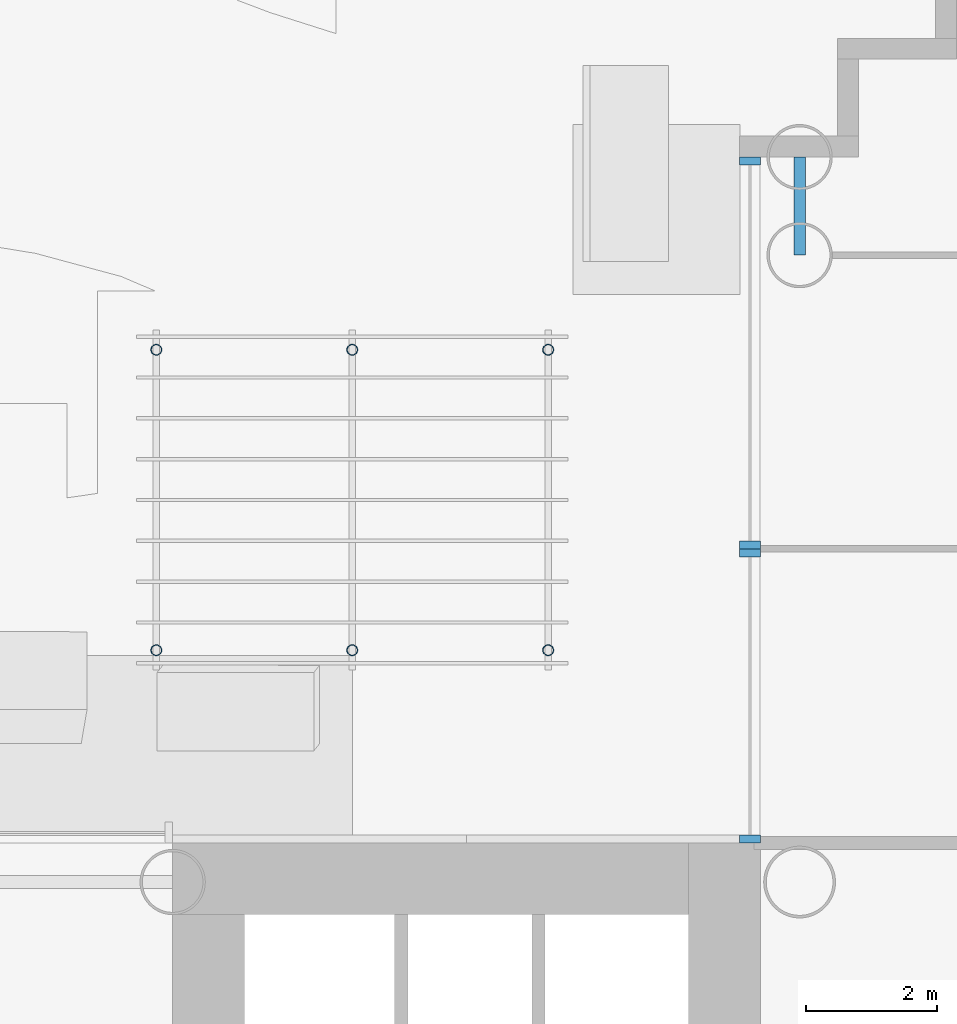
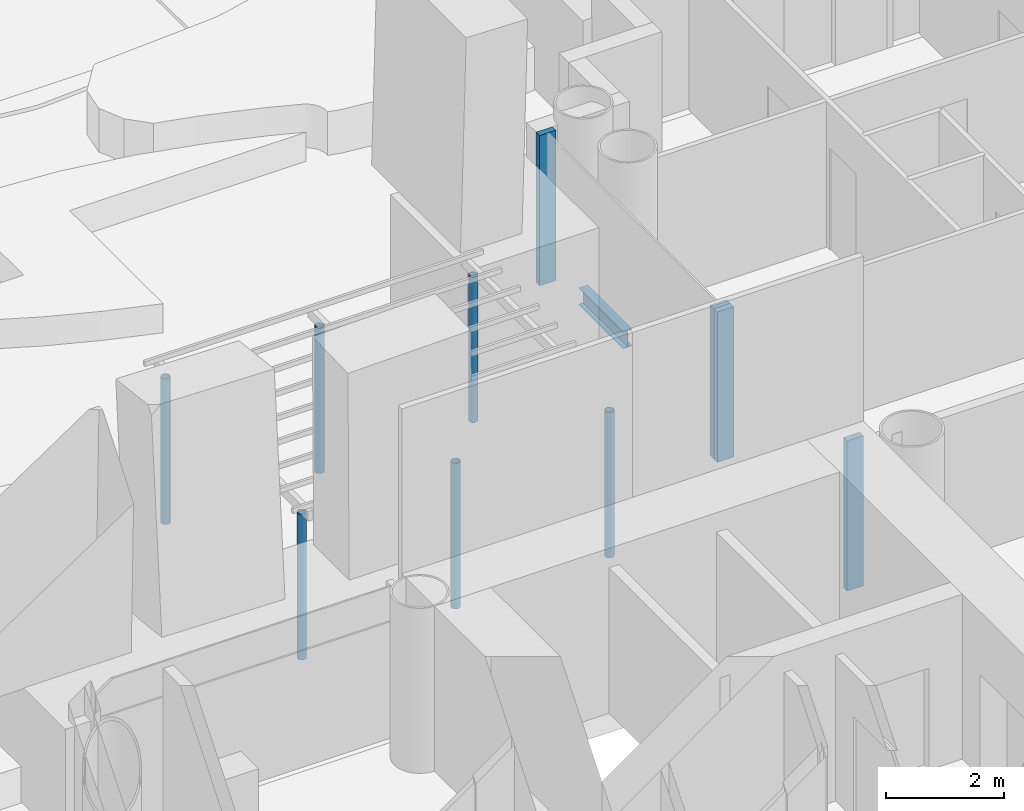
# One storey, part 10 of 40: 10 members, 1 beam, 2 elements without a shape of their own.
"""IFC4 building model written with IfcOpenShell, lengths in metres."""

from ifc_helpers import new_model, si_unit, direction, frame, origin, origin_2d, place, context, subcontext, project, spatial, rectangle, hollow_circle, i_section, extrude, material, layer, layer_set, material_profile, profile_set, type_object, element, aggregate, save


model = new_model("IFC4")

# Units and contexts
model_context = context("Model", 3, precision=1e-05, world=origin(), true_north=direction((0.0, 1.0)))
body_context = subcontext(model_context, "Body", "Model", "MODEL_VIEW")
ifc_project = project(units=[si_unit("LENGTHUNIT", "METRE"), si_unit("AREAUNIT", "SQUARE_METRE"), si_unit("VOLUMEUNIT", "CUBIC_METRE"), si_unit("PLANEANGLEUNIT", "RADIAN"), si_unit("MASSUNIT", "GRAM", prefix="KILO")], contexts=[model_context])

# Site, building, storey
site_placement = place(None, origin())
site = spatial("IfcSite", under=ifc_project, at=site_placement, CompositionType="ELEMENT")
building_placement = place(site_placement, origin())
building = spatial("IfcBuilding", under=site, at=building_placement, Name="Ipe Terrace Towers", CompositionType="ELEMENT")
storey_placement = place(building_placement, frame((0.0, 0.0, 24.5)))
storey = spatial("IfcBuildingStorey", under=building, at=storey_placement, Name="L05", CompositionType="ELEMENT", Elevation=24.5)

# Beam
ifc_material_1 = material(Name="Steel S355", Category="steel")
ifc_material_profile_1 = material_profile(ifc_material_1, i_section(OverallWidth=0.175048828125, OverallDepth=0.35009765625, WebThickness=0.007080078125, FlangeThickness=0.010986328125, at=origin_2d()), Name="H-350x175x7x11")
ifc_profile_set_1 = profile_set([ifc_material_profile_1], Name="Steel S355")
beam_type = type_object("IfcBeamType", Name="H04 EDGE BEAM H-350x175x7x11", PredefinedType="BEAM", material=ifc_profile_set_1)
beam_placement = place(storey_placement, frame((-42.14990234375, 15.75, -0.574951171875), z_axis=(0.0, 1.0, 0.0), x_axis=(-1.0, 0.0, 0.0)))
element("IfcBeam", 1, at=beam_placement, inside=storey, type_object=beam_type, Name="Edge beam T1-EB-B04-B06", PredefinedType="BEAM", context=body_context, shape_type="SweptSolid", body=[
    extrude(i_section(OverallWidth=0.175048828125, OverallDepth=0.35009765625, WebThickness=0.007080078125, FlangeThickness=0.010986328125, at=origin_2d()), origin(), (0.0, 0.0, 1.0), 1.5),
])

# Members
ifc_material_2 = material(Name="Steel S355", Category="steel")
ifc_material_profile_2 = material_profile(ifc_material_2, hollow_circle(Radius=0.083984375, WallThickness=0.008056640625, at=origin_2d()), Name="PERGOLA POST CHS 168")
ifc_profile_set_2 = profile_set([ifc_material_profile_2], Name="Steel S355")
member_type_1 = type_object("IfcMemberType", Name="PERGOLA POST CHS 168", PredefinedType="POST", material=ifc_profile_set_2)
for number, where, z_axis, x_axis, name in (
    (2, (-52.0, 9.699951171875, -0.02001953125), (0.0, 0.0, 1.0), (1.0, 0.0, 0.0), "pergola post"),
    (3, (-52.0, 14.300048828125, -0.02001953125), (0.0, 0.0, 1.0), (1.0, 0.0, 0.0), "pergola post"),
    (4, (-49.0, 9.699951171875, -0.02001953125), (0.0, 0.0, 1.0), (1.0, 0.0, 0.0), "pergola post"),
    (5, (-49.0, 14.300048828125, -0.02001953125), (0.0, 0.0, 1.0), (1.0, 0.0, 0.0), "pergola post"),
    (6, (-46.0, 9.699951171875, -0.02001953125), (0.0, 0.0, 1.0), (1.0, 0.0, 0.0), "pergola post"),
    (7, (-46.0, 14.300048828125, -0.02001953125), (0.0, 0.0, 1.0), (1.0, 0.0, 0.0), "pergola post"),
):
    element("IfcMember", number, at=place(storey_placement, frame(where, z_axis=z_axis, x_axis=x_axis)), inside=storey, type_object=member_type_1, Name=name, PredefinedType="POST", context=body_context, shape_type="SweptSolid", body=[
        extrude(hollow_circle(Radius=0.083984375, WallThickness=0.008056640625, at=origin_2d()), origin(), (0.0, 0.0, 1.0), 3.0),
    ])

# Curtain wall, members
ifc_material_3 = material(Name="Aluminium alloy 6063-T6", Category="aluminium")
ifc_layer = layer(ifc_material_3, 0.320068359375)
ifc_layer_set = layer_set([ifc_layer], Name="TOWER UNITISED CURTAIN WALL")
curtain_wall_type = type_object("IfcCurtainWallType", Name="TOWER UNITISED CURTAIN WALL", PredefinedType="NOTDEFINED", material=ifc_layer_set)
curtain_wall_1_placement = place(storey_placement, origin())
curtain_wall_1 = element("IfcCurtainWall", 8, at=curtain_wall_1_placement, inside=storey, type_object=curtain_wall_type, Name="T1-CW-L05-43a curtain wall", PredefinedType="NOTDEFINED")
ifc_material_4 = material(Name="Aluminium alloy 6063-T6", Category="aluminium")
ifc_material_profile_3 = material_profile(ifc_material_4, rectangle(XDim=0.320068359375, YDim=0.1201171875, at=origin_2d()), Name="TOWER UNITISED CORNER MULLION 320 x 120")
ifc_profile_set_3 = profile_set([ifc_material_profile_3], Name="Aluminium alloy 6063-T6")
member_type_2 = type_object("IfcMemberType", Name="TOWER UNITISED CORNER MULLION 320 x 120", PredefinedType="MULLION", material=ifc_profile_set_3)
member_1_placement = place(storey_placement, frame((-42.909912109375, 17.18994140625, 0.0), z_axis=(0.0, 0.0, 1.0), x_axis=(-1.0, 0.0, 0.0)))
member_1 = element("IfcMember", 9, at=member_1_placement, type_object=member_type_2, Name="T1-CW-L05-43a mullion 1", PredefinedType="MULLION", context=body_context, shape_type="SweptSolid", body=[
    extrude(rectangle(XDim=0.320068359375, YDim=0.1201171875, at=origin_2d()), origin(), (0.0, 0.0, 1.0), 3.10009765625),
])
member_2_placement = place(storey_placement, frame((-42.909912109375, 11.31005859375, 0.0), z_axis=(0.0, 0.0, 1.0), x_axis=(-1.0, 0.0, 0.0)))
member_2 = element("IfcMember", 10, at=member_2_placement, type_object=member_type_2, Name="T1-CW-L05-43a mullion 2", PredefinedType="MULLION", context=body_context, shape_type="SweptSolid", body=[
    extrude(rectangle(XDim=0.320068359375, YDim=0.1201171875, at=origin_2d()), origin(), (0.0, 0.0, 1.0), 3.10009765625),
])
aggregate(curtain_wall_1, [member_1, member_2])

curtain_wall_2_placement = place(storey_placement, origin())
curtain_wall_2 = element("IfcCurtainWall", 11, at=curtain_wall_2_placement, inside=storey, type_object=curtain_wall_type, Name="T1-CW-L05-44a curtain wall", PredefinedType="NOTDEFINED")
member_3_placement = place(storey_placement, frame((-42.909912109375, 11.18994140625, 0.0), z_axis=(0.0, 0.0, 1.0), x_axis=(-1.0, 0.0, 0.0)))
member_3 = element("IfcMember", 12, at=member_3_placement, type_object=member_type_2, Name="T1-CW-L05-44a mullion 1", PredefinedType="MULLION", context=body_context, shape_type="SweptSolid", body=[
    extrude(rectangle(XDim=0.320068359375, YDim=0.1201171875, at=origin_2d()), origin(), (0.0, 0.0, 1.0), 3.10009765625),
])
member_4_placement = place(storey_placement, frame((-42.909912109375, 6.81005859375, 0.0), z_axis=(0.0, 0.0, 1.0), x_axis=(-1.0, 0.0, 0.0)))
member_4 = element("IfcMember", 13, at=member_4_placement, type_object=member_type_2, Name="T1-CW-L05-44a mullion 2", PredefinedType="MULLION", context=body_context, shape_type="SweptSolid", body=[
    extrude(rectangle(XDim=0.320068359375, YDim=0.1201171875, at=origin_2d()), origin(), (0.0, 0.0, 1.0), 3.10009765625),
])
aggregate(curtain_wall_2, [member_3, member_4])

save(model, "model.ifc")
